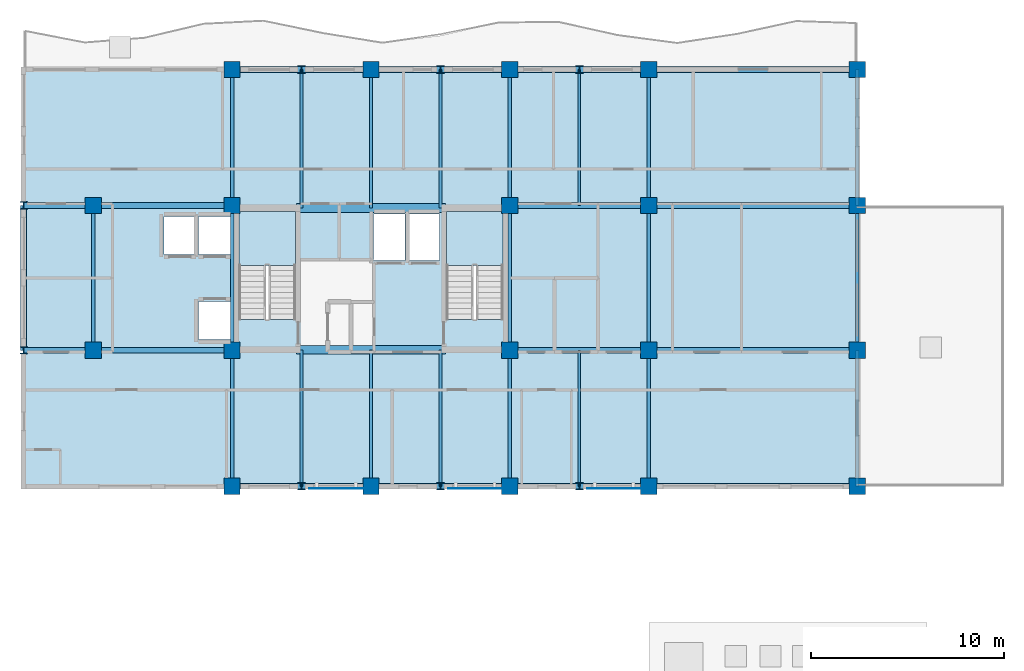
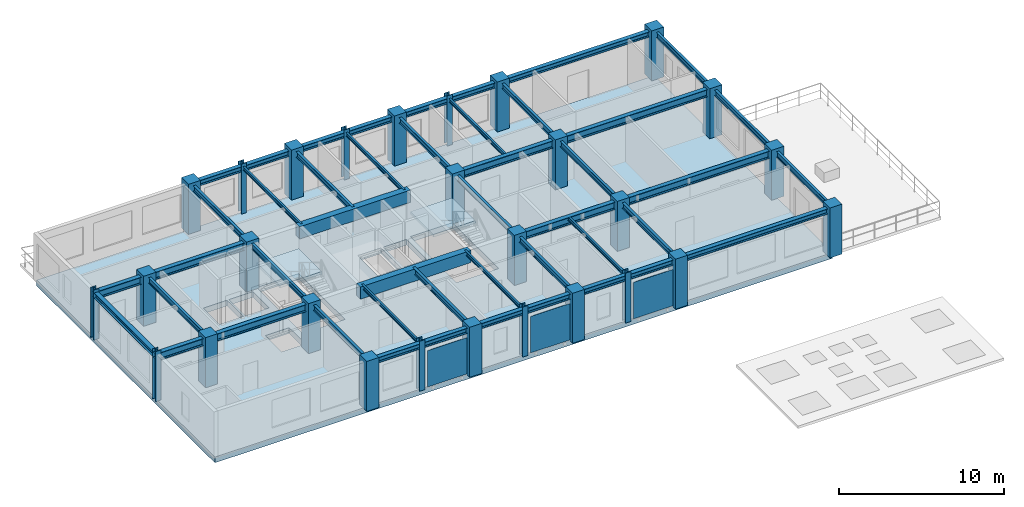
# One storey, part 1 of 8: 46 beams, 28 columns, 3 plates, 3 slabs, 2 elements without a shape of their own.
"""IFC4 building model written with IfcOpenShell, lengths in metres."""

from ifc_helpers import new_model, si_unit, direction, frame, origin, origin_2d, place, context, subcontext, project, spatial, polyline, rectangle, i_section, outline, extrude, source, transform, mapped, material, layer, layer_set, material_profile, profile_set, type_object, element, aggregate, save


model = new_model("IFC4")

# Units and contexts
model_context = context("Model", 3, precision=1e-05, world=origin(), true_north=direction((0.0, 1.0)))
body_context = subcontext(model_context, "Body", "Model", "MODEL_VIEW")
ifc_project = project(units=[si_unit("LENGTHUNIT", "METRE"), si_unit("AREAUNIT", "SQUARE_METRE"), si_unit("VOLUMEUNIT", "CUBIC_METRE"), si_unit("PLANEANGLEUNIT", "RADIAN"), si_unit("MASSUNIT", "GRAM", prefix="KILO")], contexts=[model_context])

# Site, building, storey
site_placement = place(None, origin())
site = spatial("IfcSite", under=ifc_project, at=site_placement, CompositionType="ELEMENT")
building_placement = place(site_placement, origin())
building = spatial("IfcBuilding", under=site, at=building_placement, Name="Kaliganga Portal Commons", CompositionType="ELEMENT")
storey_placement = place(building_placement, frame((0.0, 0.0, 249.89990234375)))
storey = spatial("IfcBuildingStorey", under=building, at=storey_placement, Name="L64", CompositionType="ELEMENT", Elevation=249.89990234375)

# Columns
ifc_material_1 = material(Name="Concrete C50/60", Category="concrete")
ifc_material_profile_1 = material_profile(ifc_material_1, rectangle(XDim=0.85009765625, YDim=0.85009765625, at=origin_2d()), Name="RC 850x850")
ifc_profile_set_1 = profile_set([ifc_material_profile_1], Name="Concrete C50/60")
column_type_1 = type_object("IfcColumnType", Name="COL-MEGA-Z5", PredefinedType="COLUMN", material=ifc_profile_set_1)
shared_shape_1 = source(origin(), body_context, "Body", "SweptSolid", [
    extrude(rectangle(XDim=0.85009765625, YDim=0.85009765625, at=origin_2d()), origin(), (0.0, 0.0, 1.0), 3.7001953125),
])
for number, where, z_axis, x_axis, name in (
    (1, (7.199951171875, 28.64990234375, 0.0), (0.0, 0.0, 1.0), (1.0, 0.0, 0.0), "Column MC-06 L64"),
    (2, (7.199951171875, 36.14990234375, 0.0), (0.0, 0.0, 1.0), (1.0, 0.0, 0.0), "Column MC-06 L64"),
    (3, (14.39990234375, 21.60009765625, 0.0), (0.0, 0.0, 1.0), (1.0, 0.0, 0.0), "Column MC-06 L64"),
    (4, (14.39990234375, 28.64990234375, 0.0), (0.0, 0.0, 1.0), (1.0, 0.0, 0.0), "Column MC-06 L64"),
    (5, (14.39990234375, 36.14990234375, 0.0), (0.0, 0.0, 1.0), (1.0, 0.0, 0.0), "Column MC-06 L64"),
    (6, (14.39990234375, 43.199951171875, 0.0), (0.0, 0.0, 1.0), (1.0, 0.0, 0.0), "Column MC-06 L64"),
    (7, (21.60009765625, 21.60009765625, 0.0), (0.0, 0.0, 1.0), (1.0, 0.0, 0.0), "Column MC-06 L64"),
    (8, (21.60009765625, 43.199951171875, 0.0), (0.0, 0.0, 1.0), (1.0, 0.0, 0.0), "Column MC-06 L64"),
    (9, (28.800048828125, 21.60009765625, 0.0), (0.0, 0.0, 1.0), (1.0, 0.0, 0.0), "Column MC-06 L64"),
    (10, (28.800048828125, 28.64990234375, 0.0), (0.0, 0.0, 1.0), (1.0, 0.0, 0.0), "Column MC-06 L64"),
    (11, (28.800048828125, 36.14990234375, 0.0), (0.0, 0.0, 1.0), (1.0, 0.0, 0.0), "Column MC-06 L64"),
    (12, (28.800048828125, 43.199951171875, 0.0), (0.0, 0.0, 1.0), (1.0, 0.0, 0.0), "Column MC-06 L64"),
    (13, (36.0, 21.60009765625, 0.0), (0.0, 0.0, 1.0), (1.0, 0.0, 0.0), "Column MC-06 L64"),
    (14, (36.0, 43.199951171875, 0.0), (0.0, 0.0, 1.0), (1.0, 0.0, 0.0), "Column MC-06 L64"),
    (15, (36.0, 28.64990234375, 0.0), (0.0, 0.0, 1.0), (1.0, 0.0, 0.0), "Column MC-06 L64"),
    (16, (36.0, 36.14990234375, 0.0), (0.0, 0.0, 1.0), (1.0, 0.0, 0.0), "Column MC-06 L64"),
    (17, (46.800048828125, 21.60009765625, 0.0), (0.0, 0.0, 1.0), (1.0, 0.0, 0.0), "Column MC-06 L64"),
    (18, (46.800048828125, 28.64990234375, 0.0), (0.0, 0.0, 1.0), (1.0, 0.0, 0.0), "Column MC-06 L64"),
    (19, (46.800048828125, 36.14990234375, 0.0), (0.0, 0.0, 1.0), (1.0, 0.0, 0.0), "Column MC-06 L64"),
    (20, (46.800048828125, 43.199951171875, 0.0), (0.0, 0.0, 1.0), (1.0, 0.0, 0.0), "Column MC-06 L64"),
):
    element("IfcColumn", number, at=place(storey_placement, frame(where, z_axis=z_axis, x_axis=x_axis)), inside=storey, type_object=column_type_1, Name=name, PredefinedType="COLUMN", context=body_context, shape_type="MappedRepresentation", body=[
        mapped(shared_shape_1, transform((0.0, 0.0, 0.0), x_axis=(1.0, 0.0, 0.0), y_axis=(0.0, 1.0, 0.0), z_axis=(0.0, 0.0, 1.0), scale=1.0)),
    ])
ifc_material_2 = material(Name="Structural steel S355J2", Category="steel")
ifc_material_profile_2 = material_profile(ifc_material_2, i_section(OverallWidth=0.3740234375, OverallDepth=0.3720703125, WebThickness=0.014892578125, FlangeThickness=0.02587890625, FilletRadius=0.014892578125, at=origin_2d()), Name="HD 360x196")
ifc_profile_set_2 = profile_set([ifc_material_profile_2], Name="Structural steel S355J2 wide-flange")
column_type_2 = type_object("IfcColumnType", Name="COL-TUBE-B5", PredefinedType="COLUMN", material=ifc_profile_set_2)
shared_shape_2 = source(origin(), body_context, "Body", "SweptSolid", [
    extrude(i_section(OverallWidth=0.3740234375, OverallDepth=0.3720703125, WebThickness=0.014892578125, FlangeThickness=0.02587890625, FilletRadius=0.014892578125, at=origin_2d()), origin(), (0.0, 0.0, 1.0), 3.7001953125),
])
for number, where, z_axis, x_axis, name in (
    (21, (3.60009765625, 28.64990234375, 0.0), (0.0, 0.0, 1.0), (1.0, 0.0, 0.0), "Column TC-05 L64"),
    (22, (3.60009765625, 36.14990234375, 0.0), (0.0, 0.0, 1.0), (1.0, 0.0, 0.0), "Column TC-05 L64"),
    (23, (18.0, 21.60009765625, 0.0), (0.0, 0.0, 1.0), (1.0, 0.0, 0.0), "Column TC-05 L64"),
    (24, (18.0, 43.199951171875, 0.0), (0.0, 0.0, 1.0), (1.0, 0.0, 0.0), "Column TC-05 L64"),
    (25, (25.199951171875, 21.60009765625, 0.0), (0.0, 0.0, 1.0), (1.0, 0.0, 0.0), "Column TC-05 L64"),
    (26, (25.199951171875, 43.199951171875, 0.0), (0.0, 0.0, 1.0), (1.0, 0.0, 0.0), "Column TC-05 L64"),
    (27, (32.39990234375, 21.60009765625, 0.0), (0.0, 0.0, 1.0), (1.0, 0.0, 0.0), "Column TC-05 L64"),
    (28, (32.39990234375, 43.199951171875, 0.0), (0.0, 0.0, 1.0), (1.0, 0.0, 0.0), "Column TC-05 L64"),
):
    element("IfcColumn", number, at=place(storey_placement, frame(where, z_axis=z_axis, x_axis=x_axis)), inside=storey, type_object=column_type_2, Name=name, PredefinedType="COLUMN", context=body_context, shape_type="MappedRepresentation", body=[
        mapped(shared_shape_2, transform((0.0, 0.0, 0.0), x_axis=(1.0, 0.0, 0.0), y_axis=(0.0, 1.0, 0.0), z_axis=(0.0, 0.0, 1.0), scale=1.0)),
    ])

# Beams
ifc_material_profile_3 = material_profile(ifc_material_1, rectangle(XDim=0.449951171875, YDim=0.89990234375, at=origin_2d()), Name="RC 450x900")
ifc_profile_set_3 = profile_set([ifc_material_profile_3], Name="Concrete C50/60")
beam_type_1 = type_object("IfcBeamType", Name="BM-CPL-900", PredefinedType="LINTEL", material=ifc_profile_set_3)
shared_shape_3 = source(origin(), body_context, "Body", "SweptSolid", [
    extrude(rectangle(XDim=0.449951171875, YDim=0.89990234375, at=origin_2d()), origin(), (0.0, 0.0, 1.0), 7.739990234375),
])
for number, where, z_axis, x_axis, name in (
    (29, (17.72998046875, 28.675048828125, 3.025146484375), (1.0, 0.0, 0.0), (0.0, 1.0, 0.0), "BM CPL COREA L64 S"),
    (30, (17.72998046875, 36.02490234375, 3.025146484375), (1.0, 0.0, 0.0), (0.0, 1.0, 0.0), "BM CPL COREA L64 N"),
):
    element("IfcBeam", number, at=place(storey_placement, frame(where, z_axis=z_axis, x_axis=x_axis)), inside=storey, type_object=beam_type_1, Name=name, PredefinedType="LINTEL", context=body_context, shape_type="MappedRepresentation", body=[
        mapped(shared_shape_3, transform((0.0, 0.0, 0.0), x_axis=(1.0, 0.0, 0.0), y_axis=(0.0, 1.0, 0.0), z_axis=(0.0, 0.0, 1.0), scale=1.0)),
    ])
ifc_material_profile_4 = material_profile(ifc_material_2, i_section(OverallWidth=0.300048828125, OverallDepth=0.39990234375, WebThickness=0.013427734375, FlangeThickness=0.02392578125, FilletRadius=0.027099609375, at=origin_2d()), Name="HE 400 B")
ifc_profile_set_4 = profile_set([ifc_material_profile_4], Name="Structural steel S355J2 wide-flange")
beam_type_2 = type_object("IfcBeamType", Name="BM-SPAND-400", PredefinedType="SPANDREL", material=ifc_profile_set_4)
shared_shape_4 = source(origin(), body_context, "Body", "SweptSolid", [
    extrude(i_section(OverallWidth=0.300048828125, OverallDepth=0.39990234375, WebThickness=0.013427734375, FlangeThickness=0.02392578125, FilletRadius=0.027099609375, at=origin_2d()), origin(), (0.0, 0.0, 1.0), 3.60009765625),
])
for number, where, z_axis, x_axis, name in (
    (31, (14.39990234375, 43.199951171875, 3.275146484375), (1.0, 0.0, 0.0), (0.0, 1.0, 0.0), "BM SP L64 AN 1"),
    (32, (18.0, 43.199951171875, 3.275146484375), (1.0, 0.0, 0.0), (0.0, 1.0, 0.0), "BM SP L64 AN 2"),
    (33, (25.199951171875, 43.199951171875, 3.275146484375), (1.0, 0.0, 0.0), (0.0, 1.0, 0.0), "BM SP L64 AN 4"),
    (34, (32.39990234375, 43.199951171875, 3.275146484375), (1.0, 0.0, 0.0), (0.0, 1.0, 0.0), "BM SP L64 AN 6"),
    (35, (14.39990234375, 21.60009765625, 3.275146484375), (1.0, 0.0, 0.0), (0.0, 1.0, 0.0), "BM SP L64 AS 1"),
    (36, (18.0, 21.60009765625, 3.275146484375), (1.0, 0.0, 0.0), (0.0, 1.0, 0.0), "BM SP L64 AS 2"),
    (37, (25.199951171875, 21.60009765625, 3.275146484375), (1.0, 0.0, 0.0), (0.0, 1.0, 0.0), "BM SP L64 AS 4"),
    (38, (32.39990234375, 21.60009765625, 3.275146484375), (1.0, 0.0, 0.0), (0.0, 1.0, 0.0), "BM SP L64 AS 6"),
):
    element("IfcBeam", number, at=place(storey_placement, frame(where, z_axis=z_axis, x_axis=x_axis)), inside=storey, type_object=beam_type_2, Name=name, PredefinedType="SPANDREL", context=body_context, shape_type="MappedRepresentation", body=[
        mapped(shared_shape_4, transform((0.0, 0.0, 0.0), x_axis=(1.0, 0.0, 0.0), y_axis=(0.0, 1.0, 0.0), z_axis=(0.0, 0.0, 1.0), scale=1.0)),
    ])
shared_shape_5 = source(origin(), body_context, "Body", "SweptSolid", [
    extrude(i_section(OverallWidth=0.300048828125, OverallDepth=0.39990234375, WebThickness=0.013427734375, FlangeThickness=0.02392578125, FilletRadius=0.027099609375, at=origin_2d()), origin(), (0.0, 0.0, 1.0), 3.599853515625),
])
for number, where, z_axis, x_axis, name in (
    (39, (21.60009765625, 43.199951171875, 3.275146484375), (1.0, 0.0, 0.0), (0.0, 1.0, 0.0), "BM SP L64 AN 3"),
    (40, (28.800048828125, 43.199951171875, 3.275146484375), (1.0, 0.0, 0.0), (0.0, 1.0, 0.0), "BM SP L64 AN 5"),
    (41, (21.60009765625, 21.60009765625, 3.275146484375), (1.0, 0.0, 0.0), (0.0, 1.0, 0.0), "BM SP L64 AS 3"),
    (42, (28.800048828125, 21.60009765625, 3.275146484375), (1.0, 0.0, 0.0), (0.0, 1.0, 0.0), "BM SP L64 AS 5"),
):
    element("IfcBeam", number, at=place(storey_placement, frame(where, z_axis=z_axis, x_axis=x_axis)), inside=storey, type_object=beam_type_2, Name=name, PredefinedType="SPANDREL", context=body_context, shape_type="MappedRepresentation", body=[
        mapped(shared_shape_5, transform((0.0, 0.0, 0.0), x_axis=(1.0, 0.0, 0.0), y_axis=(0.0, 1.0, 0.0), z_axis=(0.0, 0.0, 1.0), scale=1.0)),
    ])
shared_shape_6 = source(origin(), body_context, "Body", "SweptSolid", [
    extrude(i_section(OverallWidth=0.300048828125, OverallDepth=0.39990234375, WebThickness=0.013427734375, FlangeThickness=0.02392578125, FilletRadius=0.027099609375, at=origin_2d()), origin(), (0.0, 0.0, 1.0), 10.800048828125),
])
for number, where, z_axis, x_axis, name in (
    (43, (36.0, 43.199951171875, 3.275146484375), (1.0, 0.0, 0.0), (0.0, 1.0, 0.0), "BM SP L64 AN 7"),
    (44, (36.0, 21.60009765625, 3.275146484375), (1.0, 0.0, 0.0), (0.0, 1.0, 0.0), "BM SP L64 AS 7"),
):
    element("IfcBeam", number, at=place(storey_placement, frame(where, z_axis=z_axis, x_axis=x_axis)), inside=storey, type_object=beam_type_2, Name=name, PredefinedType="SPANDREL", context=body_context, shape_type="MappedRepresentation", body=[
        mapped(shared_shape_6, transform((0.0, 0.0, 0.0), x_axis=(1.0, 0.0, 0.0), y_axis=(0.0, 1.0, 0.0), z_axis=(0.0, 0.0, 1.0), scale=1.0)),
    ])
ifc_material_profile_5 = material_profile(ifc_material_2, i_section(OverallWidth=0.300048828125, OverallDepth=0.550048828125, WebThickness=0.014892578125, FlangeThickness=0.029052734375, FilletRadius=0.027099609375, at=origin_2d()), Name="HE 550 B")
ifc_profile_set_5 = profile_set([ifc_material_profile_5], Name="Structural steel S355J2 wide-flange")
beam_type_3 = type_object("IfcBeamType", Name="BM-GIRD-550", PredefinedType="USERDEFINED", material=ifc_profile_set_5)
shared_shape_7 = source(origin(), body_context, "Body", "SweptSolid", [
    extrude(i_section(OverallWidth=0.300048828125, OverallDepth=0.550048828125, WebThickness=0.014892578125, FlangeThickness=0.029052734375, FilletRadius=0.027099609375, at=origin_2d()), origin(), (0.0, 0.0, 1.0), 7.199951171875),
])
for number, where, z_axis, x_axis, name in (
    (45, (7.199951171875, 28.64990234375, 3.2001953125), (1.0, 0.0, 0.0), (0.0, 1.0, 0.0), "BM G L64 WAH_S 2"),
    (46, (7.199951171875, 36.14990234375, 3.2001953125), (1.0, 0.0, 0.0), (0.0, 1.0, 0.0), "BM G L64 WAH_N 2"),
    (47, (28.800048828125, 28.64990234375, 3.2001953125), (1.0, 0.0, 0.0), (0.0, 1.0, 0.0), "BM G L64 WAE_S 1"),
    (48, (28.800048828125, 36.14990234375, 3.2001953125), (1.0, 0.0, 0.0), (0.0, 1.0, 0.0), "BM G L64 WAE_N 1"),
):
    element("IfcBeam", number, at=place(storey_placement, frame(where, z_axis=z_axis, x_axis=x_axis)), inside=storey, type_object=beam_type_3, Name=name, ObjectType="GIRDER", PredefinedType="USERDEFINED", context=body_context, shape_type="MappedRepresentation", body=[
        mapped(shared_shape_7, transform((0.0, 0.0, 0.0), x_axis=(1.0, 0.0, 0.0), y_axis=(0.0, 1.0, 0.0), z_axis=(0.0, 0.0, 1.0), scale=1.0)),
    ])
shared_shape_8 = source(origin(), body_context, "Body", "SweptSolid", [
    extrude(i_section(OverallWidth=0.300048828125, OverallDepth=0.550048828125, WebThickness=0.014892578125, FlangeThickness=0.029052734375, FilletRadius=0.027099609375, at=origin_2d()), origin(), (0.0, 0.0, 1.0), 10.800048828125),
])
for number, where, z_axis, x_axis, name in (
    (49, (36.0, 28.64990234375, 3.2001953125), (1.0, 0.0, 0.0), (0.0, 1.0, 0.0), "BM G L64 WAE_S 2"),
    (50, (36.0, 36.14990234375, 3.2001953125), (1.0, 0.0, 0.0), (0.0, 1.0, 0.0), "BM G L64 WAE_N 2"),
):
    element("IfcBeam", number, at=place(storey_placement, frame(where, z_axis=z_axis, x_axis=x_axis)), inside=storey, type_object=beam_type_3, Name=name, ObjectType="GIRDER", PredefinedType="USERDEFINED", context=body_context, shape_type="MappedRepresentation", body=[
        mapped(shared_shape_8, transform((0.0, 0.0, 0.0), x_axis=(1.0, 0.0, 0.0), y_axis=(0.0, 1.0, 0.0), z_axis=(0.0, 0.0, 1.0), scale=1.0)),
    ])
shared_shape_9 = source(origin(), body_context, "Body", "SweptSolid", [
    extrude(i_section(OverallWidth=0.300048828125, OverallDepth=0.550048828125, WebThickness=0.014892578125, FlangeThickness=0.029052734375, FilletRadius=0.027099609375, at=origin_2d()), origin(), (0.0, 0.0, 1.0), 3.599853515625),
])
for number, where, z_axis, x_axis, name in (
    (51, (3.60009765625, 28.64990234375, 3.2001953125), (1.0, 0.0, 0.0), (0.0, 1.0, 0.0), "BM G L64 WAH_S 1"),
    (52, (3.60009765625, 36.14990234375, 3.2001953125), (1.0, 0.0, 0.0), (0.0, 1.0, 0.0), "BM G L64 WAH_N 1"),
):
    element("IfcBeam", number, at=place(storey_placement, frame(where, z_axis=z_axis, x_axis=x_axis)), inside=storey, type_object=beam_type_3, Name=name, ObjectType="GIRDER", PredefinedType="USERDEFINED", context=body_context, shape_type="MappedRepresentation", body=[
        mapped(shared_shape_9, transform((0.0, 0.0, 0.0), x_axis=(1.0, 0.0, 0.0), y_axis=(0.0, 1.0, 0.0), z_axis=(0.0, 0.0, 1.0), scale=1.0)),
    ])
shared_shape_10 = source(origin(), body_context, "Body", "SweptSolid", [
    extrude(i_section(OverallWidth=0.300048828125, OverallDepth=0.39990234375, WebThickness=0.013427734375, FlangeThickness=0.02392578125, FilletRadius=0.027099609375, at=origin_2d()), origin(), (0.0, 0.0, 1.0), 7.5),
])
beam_1_placement = place(storey_placement, frame((3.60009765625, 28.64990234375, 3.275146484375), z_axis=(0.0, 1.0, 0.0), x_axis=(-1.0, 0.0, 0.0)))
element("IfcBeam", 53, at=beam_1_placement, inside=storey, type_object=beam_type_2, Name="BM SP L64 AW", PredefinedType="SPANDREL", context=body_context, shape_type="MappedRepresentation", body=[
    mapped(shared_shape_10, transform((0.0, 0.0, 0.0), x_axis=(1.0, 0.0, 0.0), y_axis=(0.0, 1.0, 0.0), z_axis=(0.0, 0.0, 1.0), scale=1.0)),
])
ifc_material_profile_6 = material_profile(ifc_material_2, i_section(OverallWidth=0.135009765625, OverallDepth=0.27001953125, WebThickness=0.006591796875, FlangeThickness=0.01025390625, FilletRadius=0.014892578125, at=origin_2d()), Name="IPE 270")
ifc_profile_set_6 = profile_set([ifc_material_profile_6], Name="Structural steel S355J2 wide-flange")
beam_type_4 = type_object("IfcBeamType", Name="BM-JST-270", PredefinedType="JOIST", material=ifc_profile_set_6)
shared_shape_11 = source(origin(), body_context, "Body", "SweptSolid", [
    extrude(i_section(OverallWidth=0.135009765625, OverallDepth=0.27001953125, WebThickness=0.006591796875, FlangeThickness=0.01025390625, FilletRadius=0.014892578125, at=origin_2d()), origin(), (0.0, 0.0, 1.0), 7.175048828125),
])
for number, where, z_axis, x_axis, name in (
    (54, (18.0, 36.02490234375, 3.340087890625), (0.0, 1.0, 0.0), (-1.0, 0.0, 0.0), "BM G L64 AN180"),
    (55, (25.199951171875, 36.02490234375, 3.340087890625), (0.0, 1.0, 0.0), (-1.0, 0.0, 0.0), "BM G L64 AN252"),
):
    element("IfcBeam", number, at=place(storey_placement, frame(where, z_axis=z_axis, x_axis=x_axis)), inside=storey, type_object=beam_type_4, Name=name, PredefinedType="JOIST", context=body_context, shape_type="MappedRepresentation", body=[
        mapped(shared_shape_11, transform((0.0, 0.0, 0.0), x_axis=(1.0, 0.0, 0.0), y_axis=(0.0, 1.0, 0.0), z_axis=(0.0, 0.0, 1.0), scale=1.0)),
    ])
shared_shape_12 = source(origin(), body_context, "Body", "SweptSolid", [
    extrude(i_section(OverallWidth=0.135009765625, OverallDepth=0.27001953125, WebThickness=0.006591796875, FlangeThickness=0.01025390625, FilletRadius=0.014892578125, at=origin_2d()), origin(), (0.0, 0.0, 1.0), 7.074951171875),
])
for number, where, z_axis, x_axis, name in (
    (56, (18.0, 21.60009765625, 3.340087890625), (0.0, 1.0, 0.0), (-1.0, 0.0, 0.0), "BM G L64 AS180"),
    (57, (25.199951171875, 21.60009765625, 3.340087890625), (0.0, 1.0, 0.0), (-1.0, 0.0, 0.0), "BM G L64 AS252"),
):
    element("IfcBeam", number, at=place(storey_placement, frame(where, z_axis=z_axis, x_axis=x_axis)), inside=storey, type_object=beam_type_4, Name=name, PredefinedType="JOIST", context=body_context, shape_type="MappedRepresentation", body=[
        mapped(shared_shape_12, transform((0.0, 0.0, 0.0), x_axis=(1.0, 0.0, 0.0), y_axis=(0.0, 1.0, 0.0), z_axis=(0.0, 0.0, 1.0), scale=1.0)),
    ])
shared_shape_13 = source(origin(), body_context, "Body", "SweptSolid", [
    extrude(i_section(OverallWidth=0.135009765625, OverallDepth=0.27001953125, WebThickness=0.006591796875, FlangeThickness=0.01025390625, FilletRadius=0.014892578125, at=origin_2d()), origin(), (0.0, 0.0, 1.0), 7.050048828125),
])
beam_2_placement = place(storey_placement, frame((32.39990234375, 36.14990234375, 3.340087890625), z_axis=(0.0, 1.0, 0.0), x_axis=(-1.0, 0.0, 0.0)))
element("IfcBeam", 58, at=beam_2_placement, inside=storey, type_object=beam_type_4, Name="BM G L64 AN324", PredefinedType="JOIST", context=body_context, shape_type="MappedRepresentation", body=[
    mapped(shared_shape_13, transform((0.0, 0.0, 0.0), x_axis=(1.0, 0.0, 0.0), y_axis=(0.0, 1.0, 0.0), z_axis=(0.0, 0.0, 1.0), scale=1.0)),
])
shared_shape_14 = source(origin(), body_context, "Body", "SweptSolid", [
    extrude(i_section(OverallWidth=0.135009765625, OverallDepth=0.27001953125, WebThickness=0.006591796875, FlangeThickness=0.01025390625, FilletRadius=0.014892578125, at=origin_2d()), origin(), (0.0, 0.0, 1.0), 7.0498046875),
])
beam_3_placement = place(storey_placement, frame((32.39990234375, 21.60009765625, 3.340087890625), z_axis=(0.0, 1.0, 0.0), x_axis=(-1.0, 0.0, 0.0)))
element("IfcBeam", 59, at=beam_3_placement, inside=storey, type_object=beam_type_4, Name="BM G L64 AS324", PredefinedType="JOIST", context=body_context, shape_type="MappedRepresentation", body=[
    mapped(shared_shape_14, transform((0.0, 0.0, 0.0), x_axis=(1.0, 0.0, 0.0), y_axis=(0.0, 1.0, 0.0), z_axis=(0.0, 0.0, 1.0), scale=1.0)),
])
ifc_material_profile_7 = material_profile(ifc_material_2, i_section(OverallWidth=0.179931640625, OverallDepth=0.39990234375, WebThickness=0.008544921875, FlangeThickness=0.013427734375, FilletRadius=0.02099609375, at=origin_2d()), Name="IPE 400")
ifc_profile_set_7 = profile_set([ifc_material_profile_7], Name="Structural steel S355J2 wide-flange")
beam_type_5 = type_object("IfcBeamType", Name="BM-FLR-400", PredefinedType="BEAM", material=ifc_profile_set_7)
shared_shape_15 = source(origin(), body_context, "Body", "SweptSolid", [
    extrude(i_section(OverallWidth=0.179931640625, OverallDepth=0.39990234375, WebThickness=0.008544921875, FlangeThickness=0.013427734375, FilletRadius=0.02099609375, at=origin_2d()), origin(), (0.0, 0.0, 1.0), 7.5),
])
for number, where, z_axis, x_axis, name in (
    (60, (7.199951171875, 28.64990234375, 3.275146484375), (0.0, 1.0, 0.0), (-1.0, 0.0, 0.0), "BM G L64 AW72"),
    (61, (14.39990234375, 28.64990234375, 3.275146484375), (0.0, 1.0, 0.0), (-1.0, 0.0, 0.0), "BM G L64 AM144"),
    (62, (28.800048828125, 28.64990234375, 3.275146484375), (0.0, 1.0, 0.0), (-1.0, 0.0, 0.0), "BM G L64 AM288"),
    (63, (36.0, 28.64990234375, 3.275146484375), (0.0, 1.0, 0.0), (-1.0, 0.0, 0.0), "BM G L64 AM360"),
    (64, (46.800048828125, 28.64990234375, 3.275146484375), (0.0, 1.0, 0.0), (-1.0, 0.0, 0.0), "BM G L64 AM468"),
):
    element("IfcBeam", number, at=place(storey_placement, frame(where, z_axis=z_axis, x_axis=x_axis)), inside=storey, type_object=beam_type_5, Name=name, PredefinedType="BEAM", context=body_context, shape_type="MappedRepresentation", body=[
        mapped(shared_shape_15, transform((0.0, 0.0, 0.0), x_axis=(1.0, 0.0, 0.0), y_axis=(0.0, 1.0, 0.0), z_axis=(0.0, 0.0, 1.0), scale=1.0)),
    ])
shared_shape_16 = source(origin(), body_context, "Body", "SweptSolid", [
    extrude(i_section(OverallWidth=0.179931640625, OverallDepth=0.39990234375, WebThickness=0.008544921875, FlangeThickness=0.013427734375, FilletRadius=0.02099609375, at=origin_2d()), origin(), (0.0, 0.0, 1.0), 7.050048828125),
])
for number, where, z_axis, x_axis, name in (
    (65, (14.39990234375, 36.14990234375, 3.275146484375), (0.0, 1.0, 0.0), (-1.0, 0.0, 0.0), "BM G L64 AN144"),
    (66, (28.800048828125, 36.14990234375, 3.275146484375), (0.0, 1.0, 0.0), (-1.0, 0.0, 0.0), "BM G L64 AN288"),
    (67, (36.0, 36.14990234375, 3.275146484375), (0.0, 1.0, 0.0), (-1.0, 0.0, 0.0), "BM G L64 AN360"),
    (68, (46.800048828125, 36.14990234375, 3.275146484375), (0.0, 1.0, 0.0), (-1.0, 0.0, 0.0), "BM G L64 AN468"),
):
    element("IfcBeam", number, at=place(storey_placement, frame(where, z_axis=z_axis, x_axis=x_axis)), inside=storey, type_object=beam_type_5, Name=name, PredefinedType="BEAM", context=body_context, shape_type="MappedRepresentation", body=[
        mapped(shared_shape_16, transform((0.0, 0.0, 0.0), x_axis=(1.0, 0.0, 0.0), y_axis=(0.0, 1.0, 0.0), z_axis=(0.0, 0.0, 1.0), scale=1.0)),
    ])
shared_shape_17 = source(origin(), body_context, "Body", "SweptSolid", [
    extrude(i_section(OverallWidth=0.179931640625, OverallDepth=0.39990234375, WebThickness=0.008544921875, FlangeThickness=0.013427734375, FilletRadius=0.02099609375, at=origin_2d()), origin(), (0.0, 0.0, 1.0), 7.0498046875),
])
for number, where, z_axis, x_axis, name in (
    (69, (14.39990234375, 21.60009765625, 3.275146484375), (0.0, 1.0, 0.0), (-1.0, 0.0, 0.0), "BM G L64 AS144"),
    (70, (28.800048828125, 21.60009765625, 3.275146484375), (0.0, 1.0, 0.0), (-1.0, 0.0, 0.0), "BM G L64 AS288"),
    (71, (36.0, 21.60009765625, 3.275146484375), (0.0, 1.0, 0.0), (-1.0, 0.0, 0.0), "BM G L64 AS360"),
    (72, (46.800048828125, 21.60009765625, 3.275146484375), (0.0, 1.0, 0.0), (-1.0, 0.0, 0.0), "BM G L64 AS468"),
):
    element("IfcBeam", number, at=place(storey_placement, frame(where, z_axis=z_axis, x_axis=x_axis)), inside=storey, type_object=beam_type_5, Name=name, PredefinedType="BEAM", context=body_context, shape_type="MappedRepresentation", body=[
        mapped(shared_shape_17, transform((0.0, 0.0, 0.0), x_axis=(1.0, 0.0, 0.0), y_axis=(0.0, 1.0, 0.0), z_axis=(0.0, 0.0, 1.0), scale=1.0)),
    ])
shared_shape_18 = source(origin(), body_context, "Body", "SweptSolid", [
    extrude(i_section(OverallWidth=0.179931640625, OverallDepth=0.39990234375, WebThickness=0.008544921875, FlangeThickness=0.013427734375, FilletRadius=0.02099609375, at=origin_2d()), origin(), (0.0, 0.0, 1.0), 7.175048828125),
])
beam_4_placement = place(storey_placement, frame((21.60009765625, 36.02490234375, 3.275146484375), z_axis=(0.0, 1.0, 0.0), x_axis=(-1.0, 0.0, 0.0)))
element("IfcBeam", 73, at=beam_4_placement, inside=storey, type_object=beam_type_5, Name="BM G L64 AN216", PredefinedType="BEAM", context=body_context, shape_type="MappedRepresentation", body=[
    mapped(shared_shape_18, transform((0.0, 0.0, 0.0), x_axis=(1.0, 0.0, 0.0), y_axis=(0.0, 1.0, 0.0), z_axis=(0.0, 0.0, 1.0), scale=1.0)),
])
shared_shape_19 = source(origin(), body_context, "Body", "SweptSolid", [
    extrude(i_section(OverallWidth=0.179931640625, OverallDepth=0.39990234375, WebThickness=0.008544921875, FlangeThickness=0.013427734375, FilletRadius=0.02099609375, at=origin_2d()), origin(), (0.0, 0.0, 1.0), 7.074951171875),
])
beam_5_placement = place(storey_placement, frame((21.60009765625, 21.60009765625, 3.275146484375), z_axis=(0.0, 1.0, 0.0), x_axis=(-1.0, 0.0, 0.0)))
element("IfcBeam", 74, at=beam_5_placement, inside=storey, type_object=beam_type_5, Name="BM G L64 AS216", PredefinedType="BEAM", context=body_context, shape_type="MappedRepresentation", body=[
    mapped(shared_shape_19, transform((0.0, 0.0, 0.0), x_axis=(1.0, 0.0, 0.0), y_axis=(0.0, 1.0, 0.0), z_axis=(0.0, 0.0, 1.0), scale=1.0)),
])

# Stair, slab
ifc_material_3 = material(Name="Concrete C40/50", Category="concrete")
stair_type = type_object("IfcStairType", Name="ST-CORE-DOGLEG", PredefinedType="HALF_TURN_STAIR", material=ifc_material_3)
stair_1_placement = place(storey_placement, origin())
stair_1 = element("IfcStair", 75, at=stair_1_placement, inside=storey, type_object=stair_type, Name="L64 Protected Exit Stair ST-A1", PredefinedType="HALF_TURN_STAIR")
ifc_layer_1 = layer(ifc_material_3, 0.199951171875)
ifc_layer_set_1 = layer_set([ifc_layer_1], Name="Concrete C40/50")
slab_type_1 = type_object("IfcSlabType", Name="SLB-STAIR-LND", PredefinedType="LANDING", material=ifc_layer_set_1)
slab_1_placement = place(storey_placement, frame((0.0, 0.0, 1.650146484375)))
slab_1 = element("IfcSlab", 76, at=slab_1_placement, type_object=slab_type_1, Name="ST-A1 landing 1", PredefinedType="LANDING", context=body_context, shape_type="SweptSolid", body=[
    extrude(outline(polyline([(17.699951171875, 33.050048828125), (17.699951171875, 35.85009765625), (14.75, 35.85009765625), (14.75, 33.050048828125), (17.699951171875, 33.050048828125)])), origin(), (0.0, 0.0, 1.0), 0.199951171875),
])
aggregate(stair_1, [slab_1])

stair_2_placement = place(storey_placement, origin())
stair_2 = element("IfcStair", 77, at=stair_2_placement, inside=storey, type_object=stair_type, Name="L64 Protected Exit Stair ST-A2", PredefinedType="HALF_TURN_STAIR")
slab_2_placement = place(storey_placement, frame((0.0, 0.0, 1.650146484375)))
slab_2 = element("IfcSlab", 78, at=slab_2_placement, type_object=slab_type_1, Name="ST-A2 landing 1", PredefinedType="LANDING", context=body_context, shape_type="SweptSolid", body=[
    extrude(outline(polyline([(28.449951171875, 33.050048828125), (28.449951171875, 35.85009765625), (25.5, 35.85009765625), (25.5, 33.050048828125), (28.449951171875, 33.050048828125)])), origin(), (0.0, 0.0, 1.0), 0.199951171875),
])
aggregate(stair_2, [slab_2])

# Slab
ifc_material_4 = material(Name="Concrete C60/75", Category="concrete")
ifc_layer_2 = layer(ifc_material_4, 0.419921875)
ifc_layer_set_2 = layer_set([ifc_layer_2], Name="Concrete C60/75")
slab_type_2 = type_object("IfcSlabType", Name="SLB-XFER-420", PredefinedType="FLOOR", material=ifc_layer_set_2)
slab_3_placement = place(storey_placement, frame((0.0, 0.0, -0.419921875)))
element("IfcSlab", 79, at=slab_3_placement, inside=storey, type_object=slab_type_2, Name="Structural Floor Slab L64", PredefinedType="FLOOR", context=body_context, shape_type="SweptSolid", body=[
    extrude(outline(polyline([(3.60009765625, 21.60009765625), (46.800048828125, 21.60009765625), (46.800048828125, 43.199951171875), (3.60009765625, 43.199951171875), (3.60009765625, 21.60009765625)]), holes=[polyline([(14.75, 30.25390625), (14.75, 35.85009765625), (17.699951171875, 35.85009765625), (17.699951171875, 30.25390625), (14.75, 30.25390625)]), polyline([(25.5, 30.25390625), (25.5, 35.85009765625), (28.449951171875, 35.85009765625), (28.449951171875, 30.25390625), (25.5, 30.25390625)]), polyline([(12.6650390625, 33.614990234375), (12.6650390625, 35.5849609375), (14.3349609375, 35.5849609375), (14.3349609375, 33.614990234375), (12.6650390625, 33.614990234375)]), polyline([(12.6650390625, 29.215087890625), (12.6650390625, 31.18505859375), (14.3349609375, 31.18505859375), (14.3349609375, 29.215087890625), (12.6650390625, 29.215087890625)]), polyline([(10.864990234375, 33.614990234375), (10.864990234375, 35.5849609375), (12.534912109375, 35.5849609375), (12.534912109375, 33.614990234375), (10.864990234375, 33.614990234375)]), polyline([(21.739990234375, 33.2900390625), (21.739990234375, 35.7099609375), (23.360107421875, 35.7099609375), (23.360107421875, 33.2900390625), (21.739990234375, 33.2900390625)]), polyline([(23.5400390625, 33.2900390625), (23.5400390625, 35.7099609375), (25.159912109375, 35.7099609375), (25.159912109375, 33.2900390625), (23.5400390625, 33.2900390625)])]), origin(), (0.0, 0.0, 1.0), 0.419921875),
])

# Plates
ifc_material_5 = material(Name="Perforated Bronze-Anodized Aluminium Solar Screen", Category="aluminium")
ifc_layer_3 = layer(ifc_material_5, 0.01806640625)
ifc_layer_set_3 = layer_set([ifc_layer_3], Name="Perforated Bronze-Anodized Aluminium Solar Screen")
plate_type = type_object("IfcPlateType", Name="PLT-SCR-18", PredefinedType="USERDEFINED", material=ifc_layer_set_3)
shared_shape_20 = source(origin(), body_context, "Body", "SweptSolid", [
    extrude(rectangle(XDim=2.800048828125, YDim=0.01806640625, at=origin_2d()), origin(), (0.0, 0.0, 1.0), 2.68994140625),
])
for number, where, z_axis, x_axis, name in (
    (80, (19.800048828125, 21.47998046875, 0.080078125), (0.0, 0.0, 1.0), (1.0, 0.0, 0.0), "Perforated Solar Screen L64-S1"),
    (81, (27.0, 21.47998046875, 0.080078125), (0.0, 0.0, 1.0), (1.0, 0.0, 0.0), "Perforated Solar Screen L64-S2"),
    (82, (34.199951171875, 21.47998046875, 0.080078125), (0.0, 0.0, 1.0), (1.0, 0.0, 0.0), "Perforated Solar Screen L64-S3"),
):
    element("IfcPlate", number, at=place(storey_placement, frame(where, z_axis=z_axis, x_axis=x_axis)), inside=storey, type_object=plate_type, Name=name, ObjectType="SOLAR SCREEN", PredefinedType="USERDEFINED", context=body_context, shape_type="MappedRepresentation", body=[
        mapped(shared_shape_20, transform((0.0, 0.0, 0.0), x_axis=(1.0, 0.0, 0.0), y_axis=(0.0, 1.0, 0.0), z_axis=(0.0, 0.0, 1.0), scale=1.0)),
    ])

save(model, "model.ifc")
